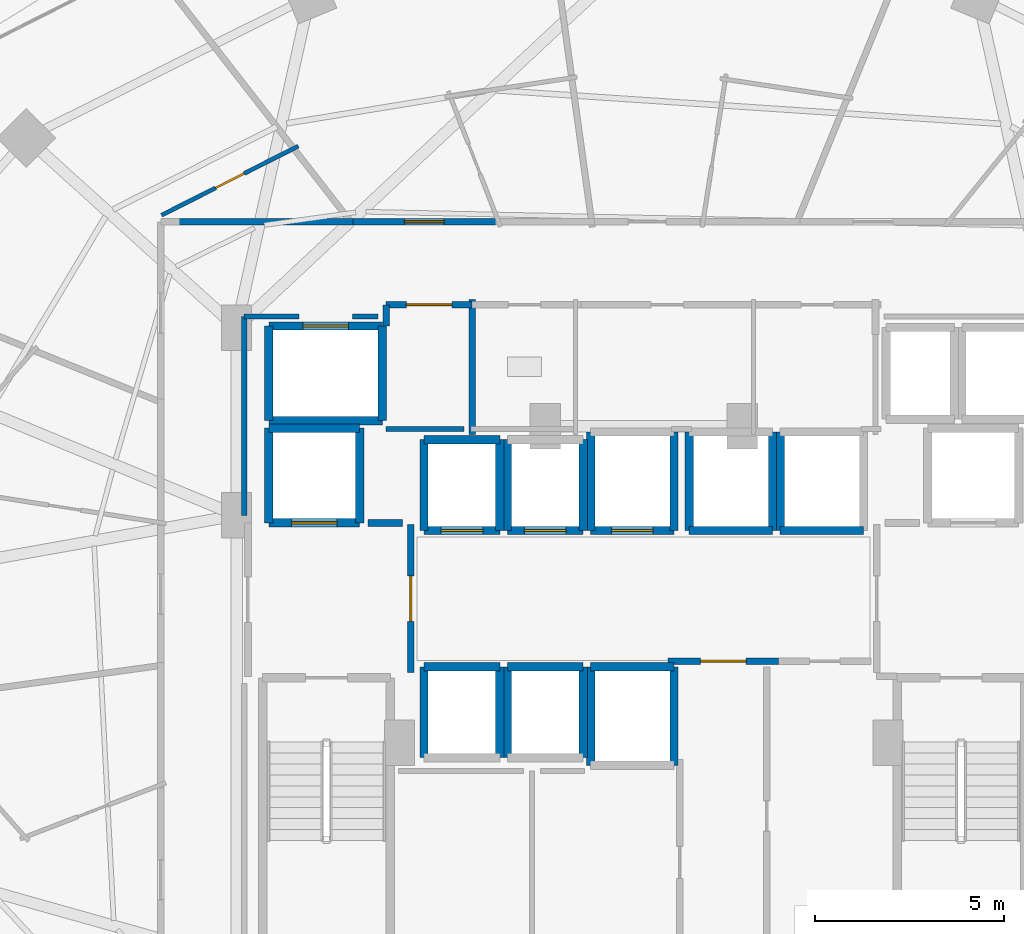
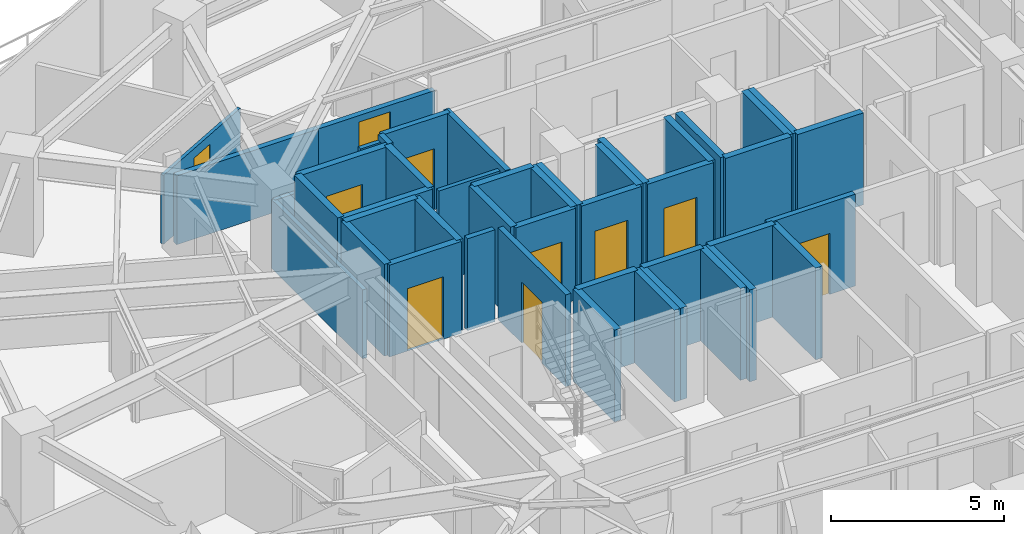
# One storey, part 23 of 30: 45 walls, 10 doors, 10 openings.
"""IFC4 building model written with IfcOpenShell, lengths in metres."""

from ifc_helpers import new_model, si_unit, direction, frame, frame_2d, origin, place, context, subcontext, project, spatial, rectangle, extrude, material, layer, layer_set, type_object, element, fill, save


model = new_model("IFC4")

# Units and contexts
model_context = context("Model", 3, precision=1e-05, world=origin(), true_north=direction((0.0, 1.0)))
body_context = subcontext(model_context, "Body", "Model", "MODEL_VIEW")
ifc_project = project(units=[si_unit("LENGTHUNIT", "METRE"), si_unit("AREAUNIT", "SQUARE_METRE"), si_unit("VOLUMEUNIT", "CUBIC_METRE"), si_unit("PLANEANGLEUNIT", "RADIAN"), si_unit("MASSUNIT", "GRAM", prefix="KILO")], contexts=[model_context])

# Site, building, storey
site_placement = place(None, origin())
site = spatial("IfcSite", under=ifc_project, at=site_placement, CompositionType="ELEMENT")
building_placement = place(site_placement, origin())
building = spatial("IfcBuilding", under=site, at=building_placement, Name="Vorneva Point Tower", CompositionType="ELEMENT")
storey_placement = place(building_placement, frame((0.0, 0.0, 89.300048828125)))
storey = spatial("IfcBuildingStorey", under=building, at=storey_placement, Name="L23", CompositionType="ELEMENT", Elevation=89.300048828125)

# Wall, opening, door
ifc_material_1 = material(Name="Concrete B60 (C50/60)", Category="concrete")
ifc_layer_1 = layer(ifc_material_1, 0.5)
ifc_layer_set_1 = layer_set([ifc_layer_1], Name="Concrete B60 (C50/60)")
wall_type_1 = type_object("IfcWallType", Name="WL-CORE-500", PredefinedType="SHEAR", material=ifc_layer_set_1)
wall_1_placement = place(storey_placement, frame((28.10009765625, 28.0, 0.0), z_axis=(0.0, 0.0, 1.0), x_axis=(1.0, 0.0, 0.0)))
wall_1 = element("IfcWall", 1, at=wall_1_placement, inside=storey, type_object=wall_type_1, Name="L23 Lift FFL1 Shaft Wall -Y", PredefinedType="SHEAR", context=body_context, shape_type="SweptSolid", body=[
    extrude(rectangle(XDim=2.39990234375, YDim=0.219970703125, at=frame_2d((1.199951171875, 0.0))), origin(), (0.0, 0.0, 1.0), 3.239990234375),
])
opening_1_placement = place(wall_1_placement, frame((0.60009765625, 0.0, 0.0)))
opening_1 = element("IfcOpeningElement", 2, at=opening_1_placement, cuts=wall_1, Name="Opening LD-02", PredefinedType="OPENING", context=body_context, shape_type="SweptSolid", body=[
    extrude(rectangle(XDim=1.199951171875, YDim=2.199951171875, at=frame_2d((0.60009765625, 1.10009765625))), frame((0.0, 0.125, 0.0), z_axis=(0.0, -1.0, 0.0), x_axis=(1.0, 0.0, 0.0)), (0.0, 0.0, 1.0), 0.249755859375),
])
ifc_material_2 = material(Name="Brushed stainless steel S304", Category="steel")
door_type_1 = type_object("IfcDoorType", Name="LD-FIRE-1200", OperationType="SLIDING_TO_LEFT", PredefinedType="DOOR", material=ifc_material_2)
door_1_placement = place(opening_1_placement, origin())
door_1 = element("IfcDoor", 3, at=door_1_placement, inside=storey, type_object=door_type_1, Name="L23 Lift FFL1 Sliding Landing Door", OperationType="SLIDING_TO_LEFT", OverallHeight=2.199951171875, OverallWidth=1.199951171875, PredefinedType="DOOR", context=body_context, shape_type="SweptSolid", body=[
    extrude(rectangle(XDim=1.199951171875, YDim=2.199951171875, at=frame_2d((0.60009765625, 1.10009765625))), frame((0.0, 0.02490234375, 0.0), z_axis=(0.0, -1.0, 0.0), x_axis=(1.0, 0.0, 0.0)), (0.0, 0.0, 1.0), 0.050048828125),
])
fill(opening_1, door_1)

# Walls
wall_2_placement = place(storey_placement, frame((30.5, 28.0, 0.0), z_axis=(0.0, 0.0, 1.0), x_axis=(0.0, 1.0, 0.0)))
element("IfcWall", 4, at=wall_2_placement, inside=storey, type_object=wall_type_1, Name="L23 Lift FFL1 Shaft Wall +X", PredefinedType="SHEAR", context=body_context, shape_type="SweptSolid", body=[
    extrude(rectangle(XDim=2.5, YDim=0.219970703125, at=frame_2d((1.25, 0.0))), origin(), (0.0, 0.0, 1.0), 3.239990234375),
])
wall_3_placement = place(storey_placement, frame((30.5, 30.5, 0.0), z_axis=(0.0, 0.0, 1.0), x_axis=(-1.0, 0.0, 0.0)))
element("IfcWall", 5, at=wall_3_placement, inside=storey, type_object=wall_type_1, Name="L23 Lift FFL1 Shaft Wall +Y", PredefinedType="SHEAR", context=body_context, shape_type="SweptSolid", body=[
    extrude(rectangle(XDim=2.39990234375, YDim=0.219970703125, at=frame_2d((1.199951171875, 0.0))), origin(), (0.0, 0.0, 1.0), 3.239990234375),
])
wall_4_placement = place(storey_placement, frame((28.10009765625, 30.5, 0.0), z_axis=(0.0, 0.0, 1.0), x_axis=(0.0, -1.0, 0.0)))
element("IfcWall", 6, at=wall_4_placement, inside=storey, type_object=wall_type_1, Name="L23 Lift FFL1 Shaft Wall -X", PredefinedType="SHEAR", context=body_context, shape_type="SweptSolid", body=[
    extrude(rectangle(XDim=2.5, YDim=0.219970703125, at=frame_2d((1.25, 0.0))), origin(), (0.0, 0.0, 1.0), 3.239990234375),
])

# Wall, opening, door
ifc_material_3 = material(Name="Fire-rated acoustic gypsum stud partition", Category="gypsum")
ifc_layer_2 = layer(ifc_material_3, 0.110107421875)
ifc_layer_set_2 = layer_set([ifc_layer_2], Name="Fire-rated acoustic gypsum stud partition")
wall_type_2 = type_object("IfcWallType", Name="WL-PART-110", PredefinedType="PARTITIONING", material=ifc_layer_set_2)
wall_5_placement = place(storey_placement, frame((25.26806640625, 36.122802734375, 0.0), z_axis=(0.0, 0.0, 1.0), x_axis=(0.892501687321, 0.451044053425, 0.0)))
wall_5 = element("IfcWall", 7, at=wall_5_placement, inside=storey, type_object=wall_type_2, Name="L23 Interior Partition 068", PredefinedType="PARTITIONING", context=body_context, shape_type="SweptSolid", body=[
    extrude(rectangle(XDim=4.04931640625, YDim=0.110107421875, at=frame_2d((2.024658203125, 0.0))), origin(), (0.0, 0.0, 1.0), 2.431884765625),
])
opening_2_placement = place(wall_5_placement, frame((1.599609375, 0.0, 0.0)))
opening_2 = element("IfcOpeningElement", 8, at=opening_2_placement, cuts=wall_5, Name="Opening ID-02", PredefinedType="OPENING", context=body_context, shape_type="SweptSolid", body=[
    extrude(rectangle(XDim=0.85009765625, YDim=2.10009765625, at=frame_2d((0.425048828125, 1.050048828125))), frame((0.0, 0.06982421875, 0.0), z_axis=(0.0, -1.0, 0.0), x_axis=(1.0, 0.0, 0.0)), (0.0, 0.0, 1.0), 0.139892578125),
])
ifc_material_4 = material(Name="Engineered oak fire-rated door leaf", Category="wood")
door_type_2 = type_object("IfcDoorType", Name="DR-BATH-850", OperationType="NOTDEFINED", PredefinedType="DOOR", material=ifc_material_4)
door_2_placement = place(opening_2_placement, origin())
door_2 = element("IfcDoor", 9, at=door_2_placement, inside=storey, type_object=door_type_2, Name="L23 Door Executive Suite L23-05 / En-Suite Bathroom L23-05", OperationType="SINGLE_SWING_LEFT", OverallHeight=2.10009765625, OverallWidth=0.85009765625, PredefinedType="DOOR", context=body_context, shape_type="SweptSolid", body=[
    extrude(rectangle(XDim=0.85009765625, YDim=2.10009765625, at=frame_2d((0.425048828125, 1.050048828125))), frame((0.0, 0.02490234375, 0.0), z_axis=(0.0, -1.0, 0.0), x_axis=(1.0, 0.0, 0.0)), (0.0, 0.0, 1.0), 0.050048828125),
])
fill(opening_2, door_2)

# Walls
ifc_layer_3 = layer(ifc_material_3, 0.139892578125)
ifc_layer_set_3 = layer_set([ifc_layer_3], Name="Fire-rated acoustic gypsum stud partition")
wall_type_3 = type_object("IfcWallType", Name="WL-PART-140", PredefinedType="PARTITIONING", material=ifc_layer_set_3)
wall_6_placement = place(storey_placement, frame((31.199951171875, 30.47998046875, 0.0), z_axis=(0.0, 0.0, 1.0), x_axis=(1.0, 0.0, 0.0)))
element("IfcWall", 10, at=wall_6_placement, inside=storey, type_object=wall_type_3, Name="L23 Interior Closure Partition 090", PredefinedType="PARTITIONING", context=body_context, shape_type="SweptSolid", body=[
    extrude(rectangle(XDim=2.050048828125, YDim=0.139892578125, at=frame_2d((1.02490234375, 0.0))), origin(), (0.0, 0.0, 1.0), 3.239990234375),
])
wall_7_placement = place(storey_placement, frame((27.449951171875, 28.196044921875, 0.0), z_axis=(0.0, 0.0, 1.0), x_axis=(0.0, 1.0, 0.0)))
element("IfcWall", 11, at=wall_7_placement, inside=storey, type_object=wall_type_3, Name="L23 Interior Closure Partition 103", PredefinedType="PARTITIONING", context=body_context, shape_type="SweptSolid", body=[
    extrude(rectangle(XDim=5.25390625, YDim=0.139892578125, at=frame_2d((2.626953125, 0.0))), origin(), (0.0, 0.0, 1.0), 2.431884765625),
])
wall_8_placement = place(storey_placement, frame((27.449951171875, 33.449951171875, 0.0), z_axis=(0.0, 0.0, 1.0), x_axis=(1.0, 0.0, 0.0)))
element("IfcWall", 12, at=wall_8_placement, inside=storey, type_object=wall_type_3, Name="L23 Interior Closure Partition 104", PredefinedType="PARTITIONING", context=body_context, shape_type="SweptSolid", body=[
    extrude(rectangle(XDim=1.444091796875, YDim=0.139892578125, at=frame_2d((0.72216796875, 0.0))), origin(), (0.0, 0.0, 1.0), 2.431884765625),
])
wall_9_placement = place(storey_placement, frame((30.305908203125, 33.449951171875, 0.0), z_axis=(0.0, 0.0, 1.0), x_axis=(1.0, 0.0, 0.0)))
element("IfcWall", 13, at=wall_9_placement, inside=storey, type_object=wall_type_3, Name="L23 Interior Closure Partition 105", PredefinedType="PARTITIONING", context=body_context, shape_type="SweptSolid", body=[
    extrude(rectangle(XDim=0.674072265625, YDim=0.139892578125, at=frame_2d((0.3369140625, 0.0))), origin(), (0.0, 0.0, 1.0), 3.239990234375),
])

# Wall, opening, door
ifc_material_5 = material(Name="Autoclaved aerated concrete blockwork", Category="masonry")
ifc_layer_4 = layer(ifc_material_5, 0.179931640625)
ifc_layer_set_4 = layer_set([ifc_layer_4], Name="Autoclaved aerated concrete blockwork")
wall_type_4 = type_object("IfcWallType", Name="WL-PART-180", PredefinedType="PARTITIONING", material=ifc_layer_set_4)
wall_10_placement = place(storey_placement, frame((31.85009765625, 24.044921875, 0.0), z_axis=(0.0, 0.0, 1.0), x_axis=(0.0, 1.0, 0.0)))
wall_10 = element("IfcWall", 14, at=wall_10_placement, inside=storey, type_object=wall_type_4, Name="L23 Interior Partition 001", PredefinedType="PARTITIONING", context=body_context, shape_type="SweptSolid", body=[
    extrude(rectangle(XDim=3.91015625, YDim=0.179931640625, at=frame_2d((1.955078125, 0.0))), origin(), (0.0, 0.0, 1.0), 3.239990234375),
])
opening_3_placement = place(wall_10_placement, frame((1.35498046875, 0.0, 0.0)))
opening_3 = element("IfcOpeningElement", 15, at=opening_3_placement, cuts=wall_10, Name="Opening FD-02", PredefinedType="OPENING", context=body_context, shape_type="SweptSolid", body=[
    extrude(rectangle(XDim=1.199951171875, YDim=2.14990234375, at=frame_2d((0.60009765625, 1.074951171875))), frame((0.0, 0.10498046875, 0.0), z_axis=(0.0, -1.0, 0.0), x_axis=(1.0, 0.0, 0.0)), (0.0, 0.0, 1.0), 0.209716796875),
])
ifc_material_6 = material(Name="Fire-rated powder-coated steel", Category="steel")
door_type_3 = type_object("IfcDoorType", Name="DR-FFL-1200", OperationType="NOTDEFINED", PredefinedType="DOOR", material=ifc_material_6)
door_3_placement = place(opening_3_placement, origin())
door_3 = element("IfcDoor", 16, at=door_3_placement, inside=storey, type_object=door_type_3, Name="L23 Door West Firefighting Lobby / Central Lift Lobby", OperationType="SINGLE_SWING_LEFT", OverallHeight=2.14990234375, OverallWidth=1.199951171875, PredefinedType="DOOR", context=body_context, shape_type="SweptSolid", body=[
    extrude(rectangle(XDim=1.199951171875, YDim=2.14990234375, at=frame_2d((0.60009765625, 1.074951171875))), frame((0.0, 0.02490234375, 0.0), z_axis=(0.0, -1.0, 0.0), x_axis=(1.0, 0.0, 0.0)), (0.0, 0.0, 1.0), 0.050048828125),
])
fill(opening_3, door_3)

# Wall
wall_11_placement = place(storey_placement, frame((33.469970703125, 30.340087890625, 0.0), z_axis=(0.0, 0.0, 1.0), x_axis=(0.0, 1.0, 0.0)))
element("IfcWall", 17, at=wall_11_placement, inside=storey, type_object=wall_type_4, Name="L23 Interior Partition 006", PredefinedType="PARTITIONING", context=body_context, shape_type="SweptSolid", body=[
    extrude(rectangle(XDim=3.559814453125, YDim=0.179931640625, at=frame_2d((1.77978515625, 0.0))), origin(), (0.0, 0.0, 1.0), 3.239990234375),
])

# Wall, opening, door
wall_12_placement = place(storey_placement, frame((33.469970703125, 33.760009765625, 0.0), z_axis=(0.0, 0.0, 1.0), x_axis=(-1.0, 0.0, 0.0)))
wall_12 = element("IfcWall", 18, at=wall_12_placement, inside=storey, type_object=wall_type_4, Name="L23 Interior Partition 007", PredefinedType="PARTITIONING", context=body_context, shape_type="SweptSolid", body=[
    extrude(rectangle(XDim=2.27001953125, YDim=0.179931640625, at=frame_2d((1.135009765625, 0.0))), origin(), (0.0, 0.0, 1.0), 3.239990234375),
])
opening_4_placement = place(wall_12_placement, frame((0.534912109375, 0.0, 0.0)))
opening_4 = element("IfcOpeningElement", 19, at=opening_4_placement, cuts=wall_12, Name="Opening FD-02", PredefinedType="OPENING", context=body_context, shape_type="SweptSolid", body=[
    extrude(rectangle(XDim=1.199951171875, YDim=2.14990234375, at=frame_2d((0.60009765625, 1.074951171875))), frame((0.0, 0.10498046875, 0.0), z_axis=(0.0, -1.0, 0.0), x_axis=(1.0, 0.0, 0.0)), (0.0, 0.0, 1.0), 0.209716796875),
])
door_4_placement = place(opening_4_placement, origin())
door_4 = element("IfcDoor", 20, at=door_4_placement, inside=storey, type_object=door_type_3, Name="L23 Door Service Lift Lobby / L23 Circulation Corridor", OperationType="SINGLE_SWING_LEFT", OverallHeight=2.14990234375, OverallWidth=1.199951171875, PredefinedType="DOOR", context=body_context, shape_type="SweptSolid", body=[
    extrude(rectangle(XDim=1.199951171875, YDim=2.14990234375, at=frame_2d((0.60009765625, 1.074951171875))), frame((0.0, 0.02490234375, 0.0), z_axis=(0.0, -1.0, 0.0), x_axis=(1.0, 0.0, 0.0)), (0.0, 0.0, 1.0), 0.050048828125),
])
fill(opening_4, door_4)

# Wall
wall_13_placement = place(storey_placement, frame((31.199951171875, 33.760009765625, 0.0), z_axis=(0.0, 0.0, 1.0), x_axis=(0.0, -1.0, 0.0)))
element("IfcWall", 21, at=wall_13_placement, inside=storey, type_object=wall_type_4, Name="L23 Interior Partition 008", PredefinedType="PARTITIONING", context=body_context, shape_type="SweptSolid", body=[
    extrude(rectangle(XDim=0.56005859375, YDim=0.179931640625, at=frame_2d((0.280029296875, 0.0))), origin(), (0.0, 0.0, 1.0), 3.239990234375),
])

# Wall, opening, door
wall_14_placement = place(storey_placement, frame((38.64501953125, 24.35009765625, 0.0), z_axis=(0.0, 0.0, 1.0), x_axis=(1.0, 0.0, 0.0)))
wall_14 = element("IfcWall", 22, at=wall_14_placement, inside=storey, type_object=wall_type_4, Name="L23 Interior Partition 009", PredefinedType="PARTITIONING", context=body_context, shape_type="SweptSolid", body=[
    extrude(rectangle(XDim=2.909912109375, YDim=0.179931640625, at=frame_2d((1.455078125, 0.0))), origin(), (0.0, 0.0, 1.0), 3.239990234375),
])
opening_5_placement = place(wall_14_placement, frame((0.85498046875, 0.0, 0.0)))
opening_5 = element("IfcOpeningElement", 23, at=opening_5_placement, cuts=wall_14, Name="Opening FD-02", PredefinedType="OPENING", context=body_context, shape_type="SweptSolid", body=[
    extrude(rectangle(XDim=1.199951171875, YDim=2.14990234375, at=frame_2d((0.60009765625, 1.074951171875))), frame((0.0, 0.10498046875, 0.0), z_axis=(0.0, -1.0, 0.0), x_axis=(1.0, 0.0, 0.0)), (0.0, 0.0, 1.0), 0.209716796875),
])
door_5_placement = place(opening_5_placement, origin())
door_5 = element("IfcDoor", 24, at=door_5_placement, inside=storey, type_object=door_type_3, Name="L23 Door Central Lift Lobby / Core Service Lobby", OperationType="SINGLE_SWING_RIGHT", OverallHeight=2.14990234375, OverallWidth=1.199951171875, PredefinedType="DOOR", context=body_context, shape_type="SweptSolid", body=[
    extrude(rectangle(XDim=1.199951171875, YDim=2.14990234375, at=frame_2d((0.60009765625, 1.074951171875))), frame((0.0, 0.02490234375, 0.0), z_axis=(0.0, -1.0, 0.0), x_axis=(1.0, 0.0, 0.0)), (0.0, 0.0, 1.0), 0.050048828125),
])
fill(opening_5, door_5)

wall_15_placement = place(storey_placement, frame((34.22607421875, 35.949951171875, 0.0), z_axis=(0.0, 0.0, 1.0), x_axis=(-1.0, 0.0, 0.0)))
wall_15 = element("IfcWall", 25, at=wall_15_placement, inside=storey, type_object=wall_type_4, Name="L23 Interior Partition 030", PredefinedType="PARTITIONING", context=body_context, shape_type="SweptSolid", body=[
    extrude(rectangle(XDim=4.0390625, YDim=0.179931640625, at=frame_2d((2.01953125, 0.0))), origin(), (0.0, 0.0, 1.0), 2.431884765625),
])
opening_6_placement = place(wall_15_placement, frame((1.494384765625, 0.0, 0.0)))
opening_6 = element("IfcOpeningElement", 26, at=opening_6_placement, cuts=wall_15, Name="Opening UD-02", PredefinedType="OPENING", context=body_context, shape_type="SweptSolid", body=[
    extrude(rectangle(XDim=1.050048828125, YDim=2.199951171875, at=frame_2d((0.52490234375, 1.10009765625))), frame((0.0, 0.10498046875, 0.0), z_axis=(0.0, -1.0, 0.0), x_axis=(1.0, 0.0, 0.0)), (0.0, 0.0, 1.0), 0.209716796875),
])
door_type_4 = type_object("IfcDoorType", Name="DR-SUITE-1050", OperationType="NOTDEFINED", PredefinedType="DOOR", material=ifc_material_4)
door_6_placement = place(opening_6_placement, origin())
door_6 = element("IfcDoor", 27, at=door_6_placement, inside=storey, type_object=door_type_4, Name="L23 Door L23 Circulation Corridor / Junior Suite L23-04", OperationType="SINGLE_SWING_RIGHT", OverallHeight=2.199951171875, OverallWidth=1.050048828125, PredefinedType="DOOR", context=body_context, shape_type="SweptSolid", body=[
    extrude(rectangle(XDim=1.050048828125, YDim=2.199951171875, at=frame_2d((0.52490234375, 1.10009765625))), frame((0.0, 0.02490234375, 0.0), z_axis=(0.0, -1.0, 0.0), x_axis=(1.0, 0.0, 0.0)), (0.0, 0.0, 1.0), 0.050048828125),
])
fill(opening_6, door_6)

# Walls
wall_16_placement = place(storey_placement, frame((30.326904296875, 35.949951171875, 0.0), z_axis=(0.0, 0.0, 1.0), x_axis=(-1.0, 0.0, 0.0)))
element("IfcWall", 28, at=wall_16_placement, inside=storey, type_object=wall_type_4, Name="L23 Interior Partition 034", PredefinedType="PARTITIONING", context=body_context, shape_type="SweptSolid", body=[
    extrude(rectangle(XDim=4.721923828125, YDim=0.179931640625, at=frame_2d((2.36083984375, 0.0))), origin(), (0.0, 0.0, 1.0), 2.431884765625),
])
wall_17_placement = place(storey_placement, frame((31.635009765625, 28.0, 0.0), z_axis=(0.0, 0.0, 1.0), x_axis=(-1.0, 0.0, 0.0)))
element("IfcWall", 29, at=wall_17_placement, inside=storey, type_object=wall_type_4, Name="L23 Interior Closure Partition 088", PredefinedType="PARTITIONING", context=body_context, shape_type="SweptSolid", body=[
    extrude(rectangle(XDim=0.9150390625, YDim=0.179931640625, at=frame_2d((0.45751953125, 0.0))), origin(), (0.0, 0.0, 1.0), 3.239990234375),
])

# Wall, opening, door
ifc_material_7 = material(Name="Concrete B50 (C40/50)", Category="concrete")
ifc_layer_5 = layer(ifc_material_7, 0.219970703125)
ifc_layer_set_5 = layer_set([ifc_layer_5], Name="Concrete B50 (C40/50)")
wall_type_5 = type_object("IfcWallType", Name="WL-SHFT-220", PredefinedType="SOLIDWALL", material=ifc_layer_set_5)
wall_18_placement = place(storey_placement, frame((32.199951171875, 27.800048828125, 0.0), z_axis=(0.0, 0.0, 1.0), x_axis=(1.0, 0.0, 0.0)))
wall_18 = element("IfcWall", 30, at=wall_18_placement, inside=storey, type_object=wall_type_5, Name="L23 Lift PL1 Shaft Wall -Y", PredefinedType="SOLIDWALL", context=body_context, shape_type="SweptSolid", body=[
    extrude(rectangle(XDim=2.0, YDim=0.219970703125, at=frame_2d((1.0, 0.0))), origin(), (0.0, 0.0, 1.0), 3.239990234375),
])
opening_7_placement = place(wall_18_placement, frame((0.449951171875, 0.0, 0.0)))
opening_7 = element("IfcOpeningElement", 31, at=opening_7_placement, cuts=wall_18, Name="Opening LD-01", PredefinedType="OPENING", context=body_context, shape_type="SweptSolid", body=[
    extrude(rectangle(XDim=1.10009765625, YDim=2.199951171875, at=frame_2d((0.550048828125, 1.10009765625))), frame((0.0, 0.125, 0.0), z_axis=(0.0, -1.0, 0.0), x_axis=(1.0, 0.0, 0.0)), (0.0, 0.0, 1.0), 0.249755859375),
])
door_type_5 = type_object("IfcDoorType", Name="LD-PASS-1100", OperationType="SLIDING_TO_LEFT", PredefinedType="DOOR", material=ifc_material_2)
door_7_placement = place(opening_7_placement, origin())
door_7 = element("IfcDoor", 32, at=door_7_placement, inside=storey, type_object=door_type_5, Name="L23 Lift PL1 Sliding Landing Door", OperationType="SLIDING_TO_LEFT", OverallHeight=2.199951171875, OverallWidth=1.10009765625, PredefinedType="DOOR", context=body_context, shape_type="SweptSolid", body=[
    extrude(rectangle(XDim=1.10009765625, YDim=2.199951171875, at=frame_2d((0.550048828125, 1.10009765625))), frame((0.0, 0.02490234375, 0.0), z_axis=(0.0, -1.0, 0.0), x_axis=(1.0, 0.0, 0.0)), (0.0, 0.0, 1.0), 0.050048828125),
])
fill(opening_7, door_7)

# Walls
wall_19_placement = place(storey_placement, frame((34.199951171875, 27.800048828125, 0.0), z_axis=(0.0, 0.0, 1.0), x_axis=(0.0, 1.0, 0.0)))
element("IfcWall", 33, at=wall_19_placement, inside=storey, type_object=wall_type_5, Name="L23 Lift PL1 Shaft Wall +X", PredefinedType="SOLIDWALL", context=body_context, shape_type="SweptSolid", body=[
    extrude(rectangle(XDim=2.39990234375, YDim=0.219970703125, at=frame_2d((1.199951171875, 0.0))), origin(), (0.0, 0.0, 1.0), 3.239990234375),
])
wall_20_placement = place(storey_placement, frame((34.199951171875, 30.199951171875, 0.0), z_axis=(0.0, 0.0, 1.0), x_axis=(-1.0, 0.0, 0.0)))
element("IfcWall", 34, at=wall_20_placement, inside=storey, type_object=wall_type_5, Name="L23 Lift PL1 Shaft Wall +Y", PredefinedType="SOLIDWALL", context=body_context, shape_type="SweptSolid", body=[
    extrude(rectangle(XDim=2.0, YDim=0.219970703125, at=frame_2d((1.0, 0.0))), origin(), (0.0, 0.0, 1.0), 3.239990234375),
])
wall_21_placement = place(storey_placement, frame((32.199951171875, 30.199951171875, 0.0), z_axis=(0.0, 0.0, 1.0), x_axis=(0.0, -1.0, 0.0)))
element("IfcWall", 35, at=wall_21_placement, inside=storey, type_object=wall_type_5, Name="L23 Lift PL1 Shaft Wall -X", PredefinedType="SOLIDWALL", context=body_context, shape_type="SweptSolid", body=[
    extrude(rectangle(XDim=2.39990234375, YDim=0.219970703125, at=frame_2d((1.199951171875, 0.0))), origin(), (0.0, 0.0, 1.0), 3.239990234375),
])

# Wall, opening, door
wall_22_placement = place(storey_placement, frame((34.39990234375, 27.800048828125, 0.0), z_axis=(0.0, 0.0, 1.0), x_axis=(1.0, 0.0, 0.0)))
wall_22 = element("IfcWall", 36, at=wall_22_placement, inside=storey, type_object=wall_type_5, Name="L23 Lift PL2 Shaft Wall -Y", PredefinedType="SOLIDWALL", context=body_context, shape_type="SweptSolid", body=[
    extrude(rectangle(XDim=2.0, YDim=0.219970703125, at=frame_2d((1.0, 0.0))), origin(), (0.0, 0.0, 1.0), 3.239990234375),
])
opening_8_placement = place(wall_22_placement, frame((0.449951171875, 0.0, 0.0)))
opening_8 = element("IfcOpeningElement", 37, at=opening_8_placement, cuts=wall_22, Name="Opening LD-01", PredefinedType="OPENING", context=body_context, shape_type="SweptSolid", body=[
    extrude(rectangle(XDim=1.10009765625, YDim=2.199951171875, at=frame_2d((0.550048828125, 1.10009765625))), frame((0.0, 0.125, 0.0), z_axis=(0.0, -1.0, 0.0), x_axis=(1.0, 0.0, 0.0)), (0.0, 0.0, 1.0), 0.249755859375),
])
door_8_placement = place(opening_8_placement, origin())
door_8 = element("IfcDoor", 38, at=door_8_placement, inside=storey, type_object=door_type_5, Name="L23 Lift PL2 Sliding Landing Door", OperationType="SLIDING_TO_LEFT", OverallHeight=2.199951171875, OverallWidth=1.10009765625, PredefinedType="DOOR", context=body_context, shape_type="SweptSolid", body=[
    extrude(rectangle(XDim=1.10009765625, YDim=2.199951171875, at=frame_2d((0.550048828125, 1.10009765625))), frame((0.0, 0.02490234375, 0.0), z_axis=(0.0, -1.0, 0.0), x_axis=(1.0, 0.0, 0.0)), (0.0, 0.0, 1.0), 0.050048828125),
])
fill(opening_8, door_8)

# Walls
for number, where, z_axis, x_axis, name in (
    (39, (36.39990234375, 27.800048828125, 0.0), (0.0, 0.0, 1.0), (0.0, 1.0, 0.0), "L23 Lift PL2 Shaft Wall +X"),
    (40, (34.39990234375, 30.199951171875, 0.0), (0.0, 0.0, 1.0), (0.0, -1.0, 0.0), "L23 Lift PL2 Shaft Wall -X"),
):
    element("IfcWall", number, at=place(storey_placement, frame(where, z_axis=z_axis, x_axis=x_axis)), inside=storey, type_object=wall_type_5, Name=name, PredefinedType="SOLIDWALL", context=body_context, shape_type="SweptSolid", body=[
        extrude(rectangle(XDim=2.39990234375, YDim=0.219970703125, at=frame_2d((1.199951171875, 0.0))), origin(), (0.0, 0.0, 1.0), 3.239990234375),
    ])

# Wall, opening, door
wall_23_placement = place(storey_placement, frame((36.60009765625, 27.800048828125, 0.0), z_axis=(0.0, 0.0, 1.0), x_axis=(1.0, 0.0, 0.0)))
wall_23 = element("IfcWall", 41, at=wall_23_placement, inside=storey, type_object=wall_type_5, Name="L23 Lift PL3 Shaft Wall -Y", PredefinedType="SOLIDWALL", context=body_context, shape_type="SweptSolid", body=[
    extrude(rectangle(XDim=2.199951171875, YDim=0.219970703125, at=frame_2d((1.10009765625, 0.0))), origin(), (0.0, 0.0, 1.0), 3.239990234375),
])
opening_9_placement = place(wall_23_placement, frame((0.550048828125, 0.0, 0.0)))
opening_9 = element("IfcOpeningElement", 42, at=opening_9_placement, cuts=wall_23, Name="Opening LD-01", PredefinedType="OPENING", context=body_context, shape_type="SweptSolid", body=[
    extrude(rectangle(XDim=1.10009765625, YDim=2.199951171875, at=frame_2d((0.550048828125, 1.10009765625))), frame((0.0, 0.125, 0.0), z_axis=(0.0, -1.0, 0.0), x_axis=(1.0, 0.0, 0.0)), (0.0, 0.0, 1.0), 0.249755859375),
])
door_9_placement = place(opening_9_placement, origin())
door_9 = element("IfcDoor", 43, at=door_9_placement, inside=storey, type_object=door_type_5, Name="L23 Lift PL3 Sliding Landing Door", OperationType="SLIDING_TO_LEFT", OverallHeight=2.199951171875, OverallWidth=1.10009765625, PredefinedType="DOOR", context=body_context, shape_type="SweptSolid", body=[
    extrude(rectangle(XDim=1.10009765625, YDim=2.199951171875, at=frame_2d((0.550048828125, 1.10009765625))), frame((0.0, 0.02490234375, 0.0), z_axis=(0.0, -1.0, 0.0), x_axis=(1.0, 0.0, 0.0)), (0.0, 0.0, 1.0), 0.050048828125),
])
fill(opening_9, door_9)

# Walls
for number, where, z_axis, x_axis, name in (
    (44, (38.800048828125, 27.800048828125, 0.0), (0.0, 0.0, 1.0), (0.0, 1.0, 0.0), "L23 Lift PL3 Shaft Wall +X"),
    (45, (36.60009765625, 30.39990234375, 0.0), (0.0, 0.0, 1.0), (0.0, -1.0, 0.0), "L23 Lift PL3 Shaft Wall -X"),
):
    element("IfcWall", number, at=place(storey_placement, frame(where, z_axis=z_axis, x_axis=x_axis)), inside=storey, type_object=wall_type_5, Name=name, PredefinedType="SOLIDWALL", context=body_context, shape_type="SweptSolid", body=[
        extrude(rectangle(XDim=2.599853515625, YDim=0.219970703125, at=frame_2d((1.2998046875, 0.0))), origin(), (0.0, 0.0, 1.0), 3.239990234375),
    ])
wall_24_placement = place(storey_placement, frame((34.199951171875, 21.800048828125, 0.0), z_axis=(0.0, 0.0, 1.0), x_axis=(0.0, 1.0, 0.0)))
element("IfcWall", 46, at=wall_24_placement, inside=storey, type_object=wall_type_5, Name="L23 Lift PL4 Shaft Wall +X", PredefinedType="SOLIDWALL", context=body_context, shape_type="SweptSolid", body=[
    extrude(rectangle(XDim=2.39990234375, YDim=0.219970703125, at=frame_2d((1.199951171875, 0.0))), origin(), (0.0, 0.0, 1.0), 3.239990234375),
])
wall_25_placement = place(storey_placement, frame((34.199951171875, 24.199951171875, 0.0), z_axis=(0.0, 0.0, 1.0), x_axis=(-1.0, 0.0, 0.0)))
element("IfcWall", 47, at=wall_25_placement, inside=storey, type_object=wall_type_5, Name="L23 Lift PL4 Shaft Wall +Y", PredefinedType="SOLIDWALL", context=body_context, shape_type="SweptSolid", body=[
    extrude(rectangle(XDim=2.0, YDim=0.219970703125, at=frame_2d((1.0, 0.0))), origin(), (0.0, 0.0, 1.0), 3.239990234375),
])
for number, where, z_axis, x_axis, name in (
    (48, (32.199951171875, 24.199951171875, 0.0), (0.0, 0.0, 1.0), (0.0, -1.0, 0.0), "L23 Lift PL4 Shaft Wall -X"),
    (49, (36.39990234375, 21.800048828125, 0.0), (0.0, 0.0, 1.0), (0.0, 1.0, 0.0), "L23 Lift PL5 Shaft Wall +X"),
):
    element("IfcWall", number, at=place(storey_placement, frame(where, z_axis=z_axis, x_axis=x_axis)), inside=storey, type_object=wall_type_5, Name=name, PredefinedType="SOLIDWALL", context=body_context, shape_type="SweptSolid", body=[
        extrude(rectangle(XDim=2.39990234375, YDim=0.219970703125, at=frame_2d((1.199951171875, 0.0))), origin(), (0.0, 0.0, 1.0), 3.239990234375),
    ])
wall_26_placement = place(storey_placement, frame((36.39990234375, 24.199951171875, 0.0), z_axis=(0.0, 0.0, 1.0), x_axis=(-1.0, 0.0, 0.0)))
element("IfcWall", 50, at=wall_26_placement, inside=storey, type_object=wall_type_5, Name="L23 Lift PL5 Shaft Wall +Y", PredefinedType="SOLIDWALL", context=body_context, shape_type="SweptSolid", body=[
    extrude(rectangle(XDim=2.0, YDim=0.219970703125, at=frame_2d((1.0, 0.0))), origin(), (0.0, 0.0, 1.0), 3.239990234375),
])
wall_27_placement = place(storey_placement, frame((34.39990234375, 24.199951171875, 0.0), z_axis=(0.0, 0.0, 1.0), x_axis=(0.0, -1.0, 0.0)))
element("IfcWall", 51, at=wall_27_placement, inside=storey, type_object=wall_type_5, Name="L23 Lift PL5 Shaft Wall -X", PredefinedType="SOLIDWALL", context=body_context, shape_type="SweptSolid", body=[
    extrude(rectangle(XDim=2.39990234375, YDim=0.219970703125, at=frame_2d((1.199951171875, 0.0))), origin(), (0.0, 0.0, 1.0), 3.239990234375),
])
wall_28_placement = place(storey_placement, frame((38.800048828125, 21.60009765625, 0.0), z_axis=(0.0, 0.0, 1.0), x_axis=(0.0, 1.0, 0.0)))
element("IfcWall", 52, at=wall_28_placement, inside=storey, type_object=wall_type_5, Name="L23 Lift PL6 Shaft Wall +X", PredefinedType="SOLIDWALL", context=body_context, shape_type="SweptSolid", body=[
    extrude(rectangle(XDim=2.599853515625, YDim=0.219970703125, at=frame_2d((1.2998046875, 0.0))), origin(), (0.0, 0.0, 1.0), 3.239990234375),
])
wall_29_placement = place(storey_placement, frame((38.800048828125, 24.199951171875, 0.0), z_axis=(0.0, 0.0, 1.0), x_axis=(-1.0, 0.0, 0.0)))
element("IfcWall", 53, at=wall_29_placement, inside=storey, type_object=wall_type_5, Name="L23 Lift PL6 Shaft Wall +Y", PredefinedType="SOLIDWALL", context=body_context, shape_type="SweptSolid", body=[
    extrude(rectangle(XDim=2.199951171875, YDim=0.219970703125, at=frame_2d((1.10009765625, 0.0))), origin(), (0.0, 0.0, 1.0), 3.239990234375),
])
wall_30_placement = place(storey_placement, frame((36.60009765625, 24.199951171875, 0.0), z_axis=(0.0, 0.0, 1.0), x_axis=(0.0, -1.0, 0.0)))
element("IfcWall", 54, at=wall_30_placement, inside=storey, type_object=wall_type_5, Name="L23 Lift PL6 Shaft Wall -X", PredefinedType="SOLIDWALL", context=body_context, shape_type="SweptSolid", body=[
    extrude(rectangle(XDim=2.599853515625, YDim=0.219970703125, at=frame_2d((1.2998046875, 0.0))), origin(), (0.0, 0.0, 1.0), 3.239990234375),
])
wall_31_placement = place(storey_placement, frame((39.199951171875, 27.800048828125, 0.0), z_axis=(0.0, 0.0, 1.0), x_axis=(1.0, 0.0, 0.0)))
element("IfcWall", 55, at=wall_31_placement, inside=storey, type_object=wall_type_5, Name="L23 Lift PL7 Shaft Wall -Y", PredefinedType="SOLIDWALL", context=body_context, shape_type="SweptSolid", body=[
    extrude(rectangle(XDim=2.199951171875, YDim=0.219970703125, at=frame_2d((1.10009765625, 0.0))), origin(), (0.0, 0.0, 1.0), 3.239990234375),
])
for number, where, z_axis, x_axis, name in (
    (56, (41.39990234375, 27.800048828125, 0.0), (0.0, 0.0, 1.0), (0.0, 1.0, 0.0), "L23 Lift PL7 Shaft Wall +X"),
    (57, (39.199951171875, 30.39990234375, 0.0), (0.0, 0.0, 1.0), (0.0, -1.0, 0.0), "L23 Lift PL7 Shaft Wall -X"),
):
    element("IfcWall", number, at=place(storey_placement, frame(where, z_axis=z_axis, x_axis=x_axis)), inside=storey, type_object=wall_type_5, Name=name, PredefinedType="SOLIDWALL", context=body_context, shape_type="SweptSolid", body=[
        extrude(rectangle(XDim=2.599853515625, YDim=0.219970703125, at=frame_2d((1.2998046875, 0.0))), origin(), (0.0, 0.0, 1.0), 3.239990234375),
    ])
wall_32_placement = place(storey_placement, frame((41.60009765625, 27.800048828125, 0.0), z_axis=(0.0, 0.0, 1.0), x_axis=(1.0, 0.0, 0.0)))
element("IfcWall", 58, at=wall_32_placement, inside=storey, type_object=wall_type_5, Name="L23 Lift PL8 Shaft Wall -Y", PredefinedType="SOLIDWALL", context=body_context, shape_type="SweptSolid", body=[
    extrude(rectangle(XDim=2.199951171875, YDim=0.219970703125, at=frame_2d((1.10009765625, 0.0))), origin(), (0.0, 0.0, 1.0), 3.239990234375),
])
wall_33_placement = place(storey_placement, frame((41.60009765625, 30.39990234375, 0.0), z_axis=(0.0, 0.0, 1.0), x_axis=(0.0, -1.0, 0.0)))
element("IfcWall", 59, at=wall_33_placement, inside=storey, type_object=wall_type_5, Name="L23 Lift PL8 Shaft Wall -X", PredefinedType="SOLIDWALL", context=body_context, shape_type="SweptSolid", body=[
    extrude(rectangle(XDim=2.599853515625, YDim=0.219970703125, at=frame_2d((1.2998046875, 0.0))), origin(), (0.0, 0.0, 1.0), 3.239990234375),
])
wall_34_placement = place(storey_placement, frame((28.10009765625, 30.699951171875, 0.0), z_axis=(0.0, 0.0, 1.0), x_axis=(1.0, 0.0, 0.0)))
element("IfcWall", 60, at=wall_34_placement, inside=storey, type_object=wall_type_5, Name="L23 Lift SVL1 Shaft Wall -Y", PredefinedType="SOLIDWALL", context=body_context, shape_type="SweptSolid", body=[
    extrude(rectangle(XDim=3.0, YDim=0.219970703125, at=frame_2d((1.5, 0.0))), origin(), (0.0, 0.0, 1.0), 3.239990234375),
])
wall_35_placement = place(storey_placement, frame((31.10009765625, 30.699951171875, 0.0), z_axis=(0.0, 0.0, 1.0), x_axis=(0.0, 1.0, 0.0)))
element("IfcWall", 61, at=wall_35_placement, inside=storey, type_object=wall_type_5, Name="L23 Lift SVL1 Shaft Wall +X", PredefinedType="SOLIDWALL", context=body_context, shape_type="SweptSolid", body=[
    extrude(rectangle(XDim=2.5, YDim=0.219970703125, at=frame_2d((1.25, 0.0))), origin(), (0.0, 0.0, 1.0), 3.239990234375),
])

# Wall, opening, door
wall_36_placement = place(storey_placement, frame((31.10009765625, 33.199951171875, 0.0), z_axis=(0.0, 0.0, 1.0), x_axis=(-1.0, 0.0, 0.0)))
wall_36 = element("IfcWall", 62, at=wall_36_placement, inside=storey, type_object=wall_type_5, Name="L23 Lift SVL1 Shaft Wall +Y", PredefinedType="SOLIDWALL", context=body_context, shape_type="SweptSolid", body=[
    extrude(rectangle(XDim=3.0, YDim=0.219970703125, at=frame_2d((1.5, 0.0))), origin(), (0.0, 0.0, 1.0), 3.239990234375),
])
opening_10_placement = place(wall_36_placement, frame((0.89990234375, 0.0, 0.0)))
opening_10 = element("IfcOpeningElement", 63, at=opening_10_placement, cuts=wall_36, Name="Opening LD-02", PredefinedType="OPENING", context=body_context, shape_type="SweptSolid", body=[
    extrude(rectangle(XDim=1.199951171875, YDim=2.199951171875, at=frame_2d((0.60009765625, 1.10009765625))), frame((0.0, 0.125, 0.0), z_axis=(0.0, -1.0, 0.0), x_axis=(1.0, 0.0, 0.0)), (0.0, 0.0, 1.0), 0.249755859375),
])
door_10_placement = place(opening_10_placement, origin())
door_10 = element("IfcDoor", 64, at=door_10_placement, inside=storey, type_object=door_type_1, Name="L23 Lift SVL1 Sliding Landing Door", OperationType="SLIDING_TO_LEFT", OverallHeight=2.199951171875, OverallWidth=1.199951171875, PredefinedType="DOOR", context=body_context, shape_type="SweptSolid", body=[
    extrude(rectangle(XDim=1.199951171875, YDim=2.199951171875, at=frame_2d((0.60009765625, 1.10009765625))), frame((0.0, 0.02490234375, 0.0), z_axis=(0.0, -1.0, 0.0), x_axis=(1.0, 0.0, 0.0)), (0.0, 0.0, 1.0), 0.050048828125),
])
fill(opening_10, door_10)

# Wall
wall_37_placement = place(storey_placement, frame((28.10009765625, 33.199951171875, 0.0), z_axis=(0.0, 0.0, 1.0), x_axis=(0.0, -1.0, 0.0)))
element("IfcWall", 65, at=wall_37_placement, inside=storey, type_object=wall_type_5, Name="L23 Lift SVL1 Shaft Wall -X", PredefinedType="SOLIDWALL", context=body_context, shape_type="SweptSolid", body=[
    extrude(rectangle(XDim=2.5, YDim=0.219970703125, at=frame_2d((1.25, 0.0))), origin(), (0.0, 0.0, 1.0), 3.239990234375),
])

save(model, "model.ifc")
